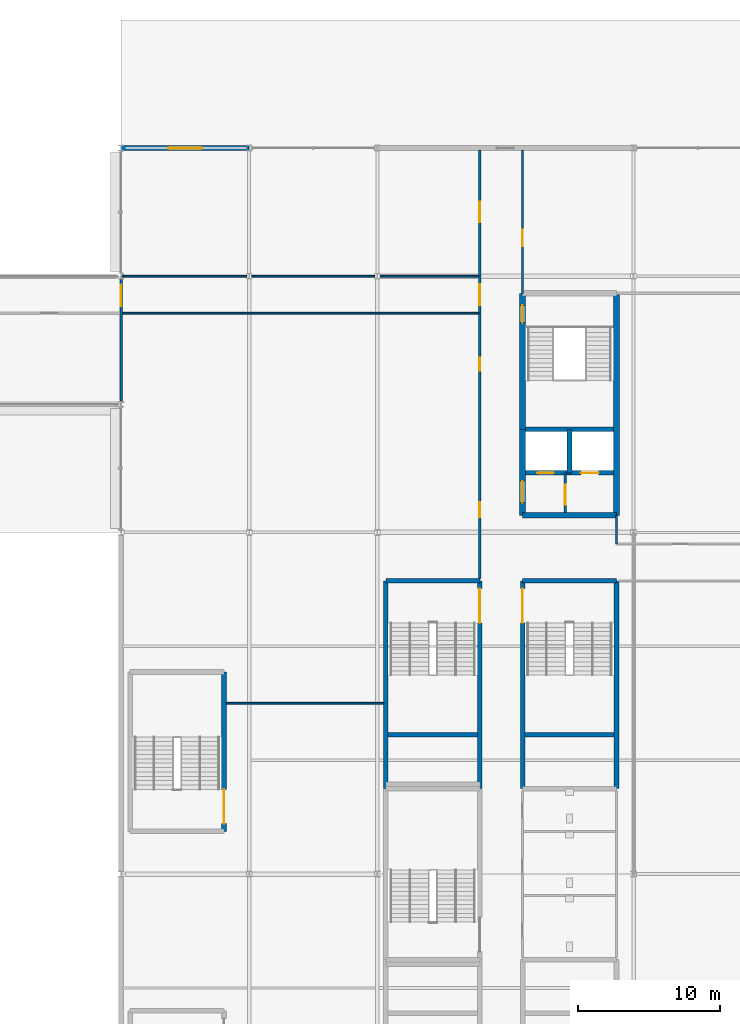
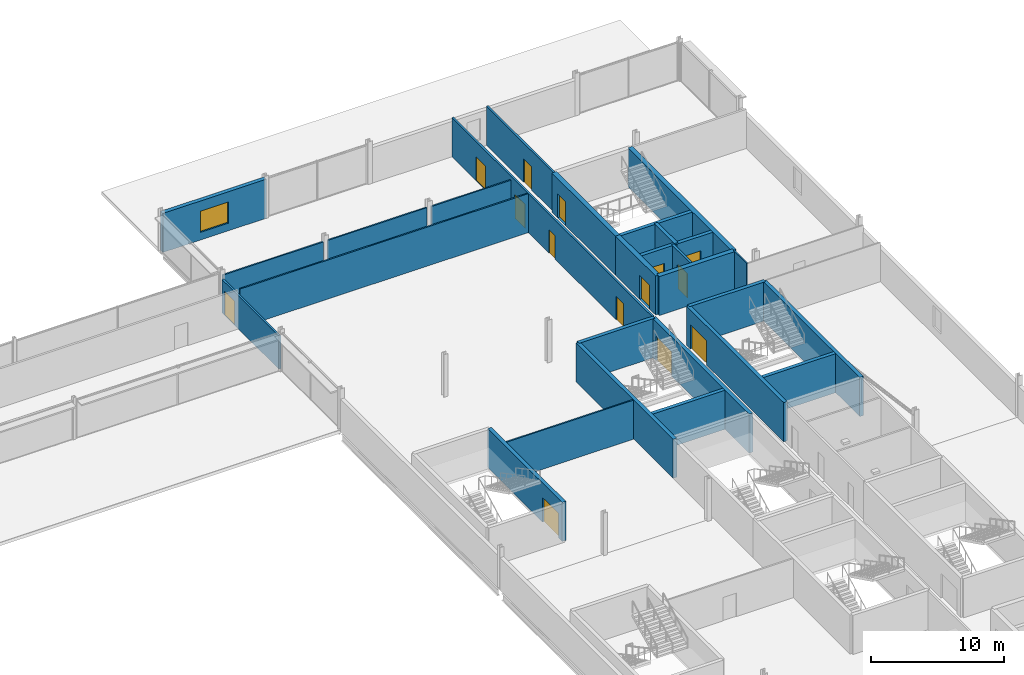
# One storey, part 70 of 105: 28 walls, 14 doors, 1 window, 15 openings.
"""IFC4 building model written with IfcOpenShell, lengths in metres."""

from ifc_helpers import new_model, si_unit, direction, frame, frame_2d, origin, place, context, subcontext, project, spatial, rectangle, extrude, material, layer, layer_set, type_object, element, fill, save


model = new_model("IFC4")

# Units and contexts
model_context = context("Model", 3, precision=1e-05, world=origin(), true_north=direction((0.0, 1.0)))
body_context = subcontext(model_context, "Body", "Model", "MODEL_VIEW")
ifc_project = project(units=[si_unit("LENGTHUNIT", "METRE"), si_unit("AREAUNIT", "SQUARE_METRE"), si_unit("VOLUMEUNIT", "CUBIC_METRE"), si_unit("PLANEANGLEUNIT", "RADIAN"), si_unit("MASSUNIT", "GRAM", prefix="KILO")], contexts=[model_context])

# Site, building, storey
site_placement = place(None, origin())
site = spatial("IfcSite", under=ifc_project, at=site_placement, CompositionType="ELEMENT")
building_placement = place(site_placement, origin())
building = spatial("IfcBuilding", under=site, at=building_placement, Name="Kisiwana Market Hall", CompositionType="ELEMENT")
storey_placement = place(building_placement, frame((0.0, 0.0, 21.60009765625)))
storey = spatial("IfcBuildingStorey", under=building, at=storey_placement, Name="L04", CompositionType="ELEMENT", Elevation=21.60009765625)

# Wall, opening, door
ifc_material_1 = material(Name="Masonry blockwork", Category="masonry")
ifc_layer_1 = layer(ifc_material_1, 0.199951171875, Name="Plastered fire compartment block wall")
ifc_layer_set_1 = layer_set([ifc_layer_1], Name="WL-COMP-200")
wall_type_1 = type_object("IfcWallType", Name="WL-COMP-200", PredefinedType="PARTITIONING", material=ifc_layer_set_1)
wall_1_placement = place(storey_placement, frame((184.199951171875, 85.39990234375, 0.0), z_axis=(0.0, 0.0, 1.0), x_axis=(0.0, 1.0, 0.0)))
wall_1 = element("IfcWall", 1, at=wall_1_placement, inside=storey, type_object=wall_type_1, Name="Core E1 firefighting lobby wall W-1641", PredefinedType="PARTITIONING", context=body_context, shape_type="SweptSolid", body=[
    extrude(rectangle(XDim=2.780029296875, YDim=0.199951171875, at=frame_2d((1.39013671875, 0.0))), origin(), (0.0, 0.0, 1.0), 3.5849609375),
])
opening_1_placement = place(wall_1_placement, frame((0.550048828125, 0.0, 0.0)))
opening_1 = element("IfcOpeningElement", 2, at=opening_1_placement, cuts=wall_1, Name="Opening DR-L04-012", PredefinedType="OPENING", context=body_context, shape_type="SweptSolid", body=[
    extrude(rectangle(XDim=1.39990234375, YDim=2.25, at=frame_2d((0.699951171875, 1.125))), frame((0.0, 0.11181640625, 0.0), z_axis=(0.0, -1.0, 0.0), x_axis=(1.0, 0.0, 0.0)), (0.0, 0.0, 1.0), 0.223876953125),
])
ifc_material_2 = material(Name="Steel S275", Category="steel")
door_type_1 = type_object("IfcDoorType", Name="DR-FFLOB-FD120-1400", OperationType="DOUBLE_DOOR_SINGLE_SWING", PredefinedType="DOOR", material=ifc_material_2)
door_1_placement = place(opening_1_placement, origin())
door_1 = element("IfcDoor", 3, at=door_1_placement, inside=storey, type_object=door_type_1, Name="Firefighting Lift Lobby E1 Door (L04)", OperationType="DOUBLE_DOOR_SINGLE_SWING", OverallHeight=2.25, OverallWidth=1.39990234375, PredefinedType="DOOR", context=body_context, shape_type="SweptSolid", body=[
    extrude(rectangle(XDim=1.39990234375, YDim=2.25, at=frame_2d((0.699951171875, 1.125))), frame((0.0, 0.02490234375, 0.0), z_axis=(0.0, -1.0, 0.0), x_axis=(1.0, 0.0, 0.0)), (0.0, 0.0, 1.0), 0.050048828125),
])
fill(opening_1, door_1)

# Walls
ifc_material_3 = material(Name="Concrete C40/50", Category="concrete")
ifc_layer_2 = layer(ifc_material_3, 0.320068359375, Name="Reinforced concrete shaft wall")
ifc_layer_set_2 = layer_set([ifc_layer_2], Name="WL-CORE-320")
wall_type_2 = type_object("IfcWallType", Name="WL-CORE-320", PredefinedType="SHEAR", material=ifc_layer_set_2)
wall_2_placement = place(storey_placement, frame((181.39990234375, 91.239990234375, 0.0), z_axis=(0.0, 0.0, 1.0), x_axis=(1.0, 0.0, 0.0)))
element("IfcWall", 4, at=wall_2_placement, inside=storey, type_object=wall_type_2, Name="Core E1 shaft back shear wall W-1546", PredefinedType="SHEAR", context=body_context, shape_type="SweptSolid", body=[
    extrude(rectangle(XDim=6.2001953125, YDim=0.320068359375, at=frame_2d((3.10009765625, 0.0))), origin(), (0.0, 0.0, 1.0), 3.5849609375),
])
wall_3_placement = place(storey_placement, frame((184.5, 88.179931640625, 0.0), z_axis=(0.0, 0.0, 1.0), x_axis=(0.0, 1.0, 0.0)))
element("IfcWall", 5, at=wall_3_placement, inside=storey, type_object=wall_type_2, Name="Core E1 inter-shaft shear wall W-1547", PredefinedType="SHEAR", context=body_context, shape_type="SweptSolid", body=[
    extrude(rectangle(XDim=3.06005859375, YDim=0.320068359375, at=frame_2d((1.530029296875, 0.0))), origin(), (0.0, 0.0, 1.0), 3.5849609375),
])

# Wall, opening, door
wall_4_placement = place(storey_placement, frame((181.39990234375, 88.179931640625, 0.0), z_axis=(0.0, 0.0, 1.0), x_axis=(1.0, 0.0, 0.0)))
wall_4 = element("IfcWall", 6, at=wall_4_placement, inside=storey, type_object=wall_type_2, Name="Core E1 west lift front wall W-1548", PredefinedType="SHEAR", context=body_context, shape_type="SweptSolid", body=[
    extrude(rectangle(XDim=3.10009765625, YDim=0.320068359375, at=frame_2d((1.550048828125, 0.0))), origin(), (0.0, 0.0, 1.0), 3.5849609375),
])
opening_2_placement = place(wall_4_placement, frame((0.85009765625, 0.0, 0.0)))
opening_2 = element("IfcOpeningElement", 7, at=opening_2_placement, cuts=wall_4, Name="Opening LD-L04-007", PredefinedType="OPENING", context=body_context, shape_type="SweptSolid", body=[
    extrude(rectangle(XDim=1.14990234375, YDim=2.199951171875, at=frame_2d((0.574951171875, 1.10009765625))), frame((0.0, 0.171875, 0.0), z_axis=(0.0, -1.0, 0.0), x_axis=(1.0, 0.0, 0.0)), (0.0, 0.0, 1.0), 0.343994140625),
])
ifc_material_4 = material(Name="Steel S275", Category="steel")
door_type_2 = type_object("IfcDoorType", Name="DR-LIFT-PAX-1150", OperationType="DOUBLE_DOOR_SLIDING", PredefinedType="DOOR", material=ifc_material_4)
door_2_placement = place(opening_2_placement, origin())
door_2 = element("IfcDoor", 8, at=door_2_placement, inside=storey, type_object=door_type_2, Name="Lift Landing Door LP-04 (L04)", OperationType="DOUBLE_DOOR_SLIDING", OverallHeight=2.199951171875, OverallWidth=1.14990234375, PredefinedType="DOOR", context=body_context, shape_type="SweptSolid", body=[
    extrude(rectangle(XDim=1.14990234375, YDim=2.199951171875, at=frame_2d((0.574951171875, 1.10009765625))), frame((0.0, 0.02490234375, 0.0), z_axis=(0.0, -1.0, 0.0), x_axis=(1.0, 0.0, 0.0)), (0.0, 0.0, 1.0), 0.050048828125),
])
fill(opening_2, door_2)

wall_5_placement = place(storey_placement, frame((184.5, 88.179931640625, 0.0), z_axis=(0.0, 0.0, 1.0), x_axis=(1.0, 0.0, 0.0)))
wall_5 = element("IfcWall", 9, at=wall_5_placement, inside=storey, type_object=wall_type_2, Name="Core E1 east lift front wall W-1549", PredefinedType="SHEAR", context=body_context, shape_type="SweptSolid", body=[
    extrude(rectangle(XDim=3.10009765625, YDim=0.320068359375, at=frame_2d((1.550048828125, 0.0))), origin(), (0.0, 0.0, 1.0), 3.5849609375),
])
opening_3_placement = place(wall_5_placement, frame((0.800048828125, 0.0, 0.0)))
opening_3 = element("IfcOpeningElement", 10, at=opening_3_placement, cuts=wall_5, Name="Opening LD-L04-008", PredefinedType="OPENING", context=body_context, shape_type="SweptSolid", body=[
    extrude(rectangle(XDim=1.25, YDim=2.25, at=frame_2d((0.625, 1.125))), frame((0.0, 0.171875, 0.0), z_axis=(0.0, -1.0, 0.0), x_axis=(1.0, 0.0, 0.0)), (0.0, 0.0, 1.0), 0.343994140625),
])
ifc_material_5 = material(Name="Steel S275", Category="steel")
door_type_3 = type_object("IfcDoorType", Name="DR-LIFT-FFL-1250", OperationType="DOUBLE_DOOR_SLIDING", PredefinedType="DOOR", material=ifc_material_5)
door_3_placement = place(opening_3_placement, origin())
door_3 = element("IfcDoor", 11, at=door_3_placement, inside=storey, type_object=door_type_3, Name="Lift Landing Door FFL-04 (L04)", OperationType="DOUBLE_DOOR_SLIDING", OverallHeight=2.25, OverallWidth=1.25, PredefinedType="DOOR", context=body_context, shape_type="SweptSolid", body=[
    extrude(rectangle(XDim=1.25, YDim=2.25, at=frame_2d((0.625, 1.125))), frame((0.0, 0.02490234375, 0.0), z_axis=(0.0, -1.0, 0.0), x_axis=(1.0, 0.0, 0.0)), (0.0, 0.0, 1.0), 0.050048828125),
])
fill(opening_3, door_3)

# Wall
wall_6_placement = place(storey_placement, frame((181.199951171875, 80.60009765625, 0.0), z_axis=(0.0, 0.0, 1.0), x_axis=(1.0, 0.0, 0.0)))
element("IfcWall", 12, at=wall_6_placement, inside=storey, type_object=wall_type_2, Name="Core E4 north shear wall W-1566", PredefinedType="SHEAR", context=body_context, shape_type="SweptSolid", body=[
    extrude(rectangle(XDim=6.60009765625, YDim=0.320068359375, at=frame_2d((3.300048828125, 0.0))), origin(), (0.0, 0.0, 1.0), 3.5849609375),
])

# Wall, opening, door
wall_7_placement = place(storey_placement, frame((181.199951171875, 66.0, 0.0), z_axis=(0.0, 0.0, 1.0), x_axis=(0.0, 1.0, 0.0)))
wall_7 = element("IfcWall", 13, at=wall_7_placement, inside=storey, type_object=wall_type_2, Name="Core E4 corridor shear wall W-1567", PredefinedType="SHEAR", context=body_context, shape_type="SweptSolid", body=[
    extrude(rectangle(XDim=14.60009765625, YDim=0.320068359375, at=frame_2d((7.300048828125, 0.0))), origin(), (0.0, 0.0, 1.0), 3.5849609375),
])
opening_4_placement = place(wall_7_placement, frame((11.64990234375, 0.0, 0.0)))
opening_4 = element("IfcOpeningElement", 14, at=opening_4_placement, cuts=wall_7, Name="Opening DR-L04-016", PredefinedType="OPENING", context=body_context, shape_type="SweptSolid", body=[
    extrude(rectangle(XDim=2.39990234375, YDim=2.25, at=frame_2d((1.199951171875, 1.125))), frame((0.0, 0.171875, 0.0), z_axis=(0.0, -1.0, 0.0), x_axis=(1.0, 0.0, 0.0)), (0.0, 0.0, 1.0), 0.343994140625),
])
ifc_material_6 = material(Name="Steel S275", Category="steel")
door_type_4 = type_object("IfcDoorType", Name="DR-STAIR-FD120-2400", OperationType="DOUBLE_DOOR_SINGLE_SWING", PredefinedType="DOOR", material=ifc_material_6)
door_4_placement = place(opening_4_placement, frame((2.39990234375, 0.0, 0.0), z_axis=(0.0, 0.0, 1.0), x_axis=(-1.0, 0.0, 0.0)))
door_4 = element("IfcDoor", 15, at=door_4_placement, inside=storey, type_object=door_type_4, Name="Escape Stair E4 Fire Door (L04)", OperationType="DOUBLE_DOOR_SINGLE_SWING", OverallHeight=2.25, OverallWidth=2.39990234375, PredefinedType="DOOR", context=body_context, shape_type="SweptSolid", body=[
    extrude(rectangle(XDim=2.39990234375, YDim=2.25, at=frame_2d((1.199951171875, 1.125))), frame((0.0, 0.02490234375, 0.0), z_axis=(0.0, -1.0, 0.0), x_axis=(1.0, 0.0, 0.0)), (0.0, 0.0, 1.0), 0.050048828125),
])
fill(opening_4, door_4)

# Walls
wall_8_placement = place(storey_placement, frame((187.800048828125, 66.0, 0.0), z_axis=(0.0, 0.0, 1.0), x_axis=(0.0, 1.0, 0.0)))
element("IfcWall", 16, at=wall_8_placement, inside=storey, type_object=wall_type_2, Name="Core E4 outer shear wall W-1568", PredefinedType="SHEAR", context=body_context, shape_type="SweptSolid", body=[
    extrude(rectangle(XDim=14.60009765625, YDim=0.320068359375, at=frame_2d((7.300048828125, 0.0))), origin(), (0.0, 0.0, 1.0), 3.5849609375),
])
wall_9_placement = place(storey_placement, frame((181.360107421875, 69.780029296875, 0.0), z_axis=(0.0, 0.0, 1.0), x_axis=(1.0, 0.0, 0.0)))
element("IfcWall", 17, at=wall_9_placement, inside=storey, type_object=wall_type_2, Name="Core E4 riser divider shear wall W-1569", PredefinedType="SHEAR", context=body_context, shape_type="SweptSolid", body=[
    extrude(rectangle(XDim=6.27978515625, YDim=0.320068359375, at=frame_2d((3.139892578125, 0.0))), origin(), (0.0, 0.0, 1.0), 3.5849609375),
])
wall_10_placement = place(storey_placement, frame((171.60009765625, 80.60009765625, 0.0), z_axis=(0.0, 0.0, 1.0), x_axis=(1.0, 0.0, 0.0)))
element("IfcWall", 18, at=wall_10_placement, inside=storey, type_object=wall_type_2, Name="Core E8 north shear wall W-1586", PredefinedType="SHEAR", context=body_context, shape_type="SweptSolid", body=[
    extrude(rectangle(XDim=6.599853515625, YDim=0.320068359375, at=frame_2d((3.2998046875, 0.0))), origin(), (0.0, 0.0, 1.0), 3.5849609375),
])
wall_11_placement = place(storey_placement, frame((171.60009765625, 66.0, 0.0), z_axis=(0.0, 0.0, 1.0), x_axis=(0.0, 1.0, 0.0)))
element("IfcWall", 19, at=wall_11_placement, inside=storey, type_object=wall_type_2, Name="Core E8 outer shear wall W-1587", PredefinedType="SHEAR", context=body_context, shape_type="SweptSolid", body=[
    extrude(rectangle(XDim=14.60009765625, YDim=0.320068359375, at=frame_2d((7.300048828125, 0.0))), origin(), (0.0, 0.0, 1.0), 3.5849609375),
])

# Wall, opening, door
wall_12_placement = place(storey_placement, frame((178.199951171875, 66.0, 0.0), z_axis=(0.0, 0.0, 1.0), x_axis=(0.0, 1.0, 0.0)))
wall_12 = element("IfcWall", 20, at=wall_12_placement, inside=storey, type_object=wall_type_2, Name="Core E8 corridor shear wall W-1588", PredefinedType="SHEAR", context=body_context, shape_type="SweptSolid", body=[
    extrude(rectangle(XDim=14.60009765625, YDim=0.320068359375, at=frame_2d((7.300048828125, 0.0))), origin(), (0.0, 0.0, 1.0), 3.5849609375),
])
opening_5_placement = place(wall_12_placement, frame((11.64990234375, 0.0, 0.0)))
opening_5 = element("IfcOpeningElement", 21, at=opening_5_placement, cuts=wall_12, Name="Opening DR-L04-020", PredefinedType="OPENING", context=body_context, shape_type="SweptSolid", body=[
    extrude(rectangle(XDim=2.39990234375, YDim=2.25, at=frame_2d((1.199951171875, 1.125))), frame((0.0, 0.171875, 0.0), z_axis=(0.0, -1.0, 0.0), x_axis=(1.0, 0.0, 0.0)), (0.0, 0.0, 1.0), 0.343994140625),
])
door_5_placement = place(opening_5_placement, origin())
door_5 = element("IfcDoor", 22, at=door_5_placement, inside=storey, type_object=door_type_4, Name="Escape Stair E8 Fire Door (L04)", OperationType="DOUBLE_DOOR_SINGLE_SWING", OverallHeight=2.25, OverallWidth=2.39990234375, PredefinedType="DOOR", context=body_context, shape_type="SweptSolid", body=[
    extrude(rectangle(XDim=2.39990234375, YDim=2.25, at=frame_2d((1.199951171875, 1.125))), frame((0.0, 0.02490234375, 0.0), z_axis=(0.0, -1.0, 0.0), x_axis=(1.0, 0.0, 0.0)), (0.0, 0.0, 1.0), 0.050048828125),
])
fill(opening_5, door_5)

# Wall
wall_13_placement = place(storey_placement, frame((171.760009765625, 69.780029296875, 0.0), z_axis=(0.0, 0.0, 1.0), x_axis=(1.0, 0.0, 0.0)))
element("IfcWall", 23, at=wall_13_placement, inside=storey, type_object=wall_type_2, Name="Core E8 riser divider shear wall W-1589", PredefinedType="SHEAR", context=body_context, shape_type="SweptSolid", body=[
    extrude(rectangle(XDim=6.280029296875, YDim=0.320068359375, at=frame_2d((3.14013671875, 0.0))), origin(), (0.0, 0.0, 1.0), 3.5849609375),
])

# Wall, opening, door
wall_14_placement = place(storey_placement, frame((160.22998046875, 63.0, 0.0), z_axis=(0.0, 0.0, 1.0), x_axis=(0.0, 1.0, 0.0)))
wall_14 = element("IfcWall", 24, at=wall_14_placement, inside=storey, type_object=wall_type_2, Name="Core E10 corridor shear wall W-1605", PredefinedType="SHEAR", context=body_context, shape_type="SweptSolid", body=[
    extrude(rectangle(XDim=11.199951171875, YDim=0.320068359375, at=frame_2d((5.60009765625, 0.0))), origin(), (0.0, 0.0, 1.0), 3.5849609375),
])
opening_6_placement = place(wall_14_placement, frame((0.550048828125, 0.0, 0.0)))
opening_6 = element("IfcOpeningElement", 25, at=opening_6_placement, cuts=wall_14, Name="Opening DR-L04-024", PredefinedType="OPENING", context=body_context, shape_type="SweptSolid", body=[
    extrude(rectangle(XDim=2.39990234375, YDim=2.25, at=frame_2d((1.199951171875, 1.125))), frame((0.0, 0.171875, 0.0), z_axis=(0.0, -1.0, 0.0), x_axis=(1.0, 0.0, 0.0)), (0.0, 0.0, 1.0), 0.343994140625),
])
door_6_placement = place(opening_6_placement, origin())
door_6 = element("IfcDoor", 26, at=door_6_placement, inside=storey, type_object=door_type_4, Name="Escape Stair E10 Fire Door (L04)", OperationType="DOUBLE_DOOR_SINGLE_SWING", OverallHeight=2.25, OverallWidth=2.39990234375, PredefinedType="DOOR", context=body_context, shape_type="SweptSolid", body=[
    extrude(rectangle(XDim=2.39990234375, YDim=2.25, at=frame_2d((1.199951171875, 1.125))), frame((0.0, 0.02490234375, 0.0), z_axis=(0.0, -1.0, 0.0), x_axis=(1.0, 0.0, 0.0)), (0.0, 0.0, 1.0), 0.050048828125),
])
fill(opening_6, door_6)

# Walls
ifc_material_7 = material(Name="Concrete C40/50", Category="concrete")
ifc_layer_3 = layer(ifc_material_7, 0.39990234375, Name="Reinforced concrete core wall")
ifc_layer_set_3 = layer_set([ifc_layer_3], Name="WL-CORE-400")
wall_type_3 = type_object("IfcWallType", Name="WL-CORE-400", PredefinedType="SHEAR", material=ifc_layer_set_3)
wall_15_placement = place(storey_placement, frame((181.199951171875, 85.199951171875, 0.0), z_axis=(0.0, 0.0, 1.0), x_axis=(1.0, 0.0, 0.0)))
element("IfcWall", 27, at=wall_15_placement, inside=storey, type_object=wall_type_3, Name="Core E1 south shear wall W-1541", PredefinedType="SHEAR", context=body_context, shape_type="SweptSolid", body=[
    extrude(rectangle(XDim=6.60009765625, YDim=0.39990234375, at=frame_2d((3.300048828125, 0.0))), origin(), (0.0, 0.0, 1.0), 3.5849609375),
])
wall_16_placement = place(storey_placement, frame((187.800048828125, 85.199951171875, 0.0), z_axis=(0.0, 0.0, 1.0), x_axis=(0.0, 1.0, 0.0)))
element("IfcWall", 28, at=wall_16_placement, inside=storey, type_object=wall_type_3, Name="Core E1 outer shear wall W-1543", PredefinedType="SHEAR", context=body_context, shape_type="SweptSolid", body=[
    extrude(rectangle(XDim=15.60009765625, YDim=0.39990234375, at=frame_2d((7.800048828125, 0.0))), origin(), (0.0, 0.0, 1.0), 3.5849609375),
])

# Wall, opening, door
wall_17_placement = place(storey_placement, frame((181.199951171875, 85.199951171875, 0.0), z_axis=(0.0, 0.0, 1.0), x_axis=(0.0, 1.0, 0.0)))
wall_17 = element("IfcWall", 29, at=wall_17_placement, inside=storey, type_object=wall_type_3, Name="Core E1 lobby corridor shear wall W-1544", PredefinedType="SHEAR", context=body_context, shape_type="SweptSolid", body=[
    extrude(rectangle(XDim=6.0400390625, YDim=0.39990234375, at=frame_2d((3.02001953125, 0.0))), origin(), (0.0, 0.0, 1.0), 3.5849609375),
])
opening_7_placement = place(wall_17_placement, frame((0.89990234375, 0.0, 0.0)))
opening_7 = element("IfcOpeningElement", 30, at=opening_7_placement, cuts=wall_17, Name="Opening DR-L04-010", PredefinedType="OPENING", context=body_context, shape_type="SweptSolid", body=[
    extrude(rectangle(XDim=1.5, YDim=2.199951171875, at=frame_2d((0.75, 1.10009765625))), frame((0.0, 0.2119140625, 0.0), z_axis=(0.0, -1.0, 0.0), x_axis=(1.0, 0.0, 0.0)), (0.0, 0.0, 1.0), 0.423828125),
])
ifc_material_8 = material(Name="Steel S275", Category="steel")
door_type_5 = type_object("IfcDoorType", Name="DR-CORR-FD60-1500", OperationType="DOUBLE_DOOR_SINGLE_SWING", PredefinedType="DOOR", material=ifc_material_8)
door_7_placement = place(opening_7_placement, origin())
door_7 = element("IfcDoor", 31, at=door_7_placement, inside=storey, type_object=door_type_5, Name="Passenger Lift Lobby E1 Smoke Door (L04)", OperationType="DOUBLE_DOOR_SINGLE_SWING", OverallHeight=2.199951171875, OverallWidth=1.5, PredefinedType="DOOR", context=body_context, shape_type="SweptSolid", body=[
    extrude(rectangle(XDim=1.5, YDim=2.199951171875, at=frame_2d((0.75, 1.10009765625))), frame((0.0, 0.02490234375, 0.0), z_axis=(0.0, -1.0, 0.0), x_axis=(1.0, 0.0, 0.0)), (0.0, 0.0, 1.0), 0.050048828125),
])
fill(opening_7, door_7)

wall_18_placement = place(storey_placement, frame((181.199951171875, 91.239990234375, 0.0), z_axis=(0.0, 0.0, 1.0), x_axis=(0.0, 1.0, 0.0)))
wall_18 = element("IfcWall", 32, at=wall_18_placement, inside=storey, type_object=wall_type_3, Name="Core E1 stair corridor shear wall W-1545", PredefinedType="SHEAR", context=body_context, shape_type="SweptSolid", body=[
    extrude(rectangle(XDim=9.56005859375, YDim=0.39990234375, at=frame_2d((4.780029296875, 0.0))), origin(), (0.0, 0.0, 1.0), 3.5849609375),
])
opening_8_placement = place(wall_18_placement, frame((7.510009765625, 0.0, 0.0)))
opening_8 = element("IfcOpeningElement", 33, at=opening_8_placement, cuts=wall_18, Name="Opening DR-L04-011", PredefinedType="OPENING", context=body_context, shape_type="SweptSolid", body=[
    extrude(rectangle(XDim=1.199951171875, YDim=2.199951171875, at=frame_2d((0.60009765625, 1.10009765625))), frame((0.0, 0.2119140625, 0.0), z_axis=(0.0, -1.0, 0.0), x_axis=(1.0, 0.0, 0.0)), (0.0, 0.0, 1.0), 0.423828125),
])
ifc_material_9 = material(Name="Steel S275", Category="steel")
door_type_6 = type_object("IfcDoorType", Name="DR-STAIR-FD120-1200", OperationType="NOTDEFINED", PredefinedType="DOOR", material=ifc_material_9)
door_8_placement = place(opening_8_placement, frame((1.199951171875, 0.0, 0.0), z_axis=(0.0, 0.0, 1.0), x_axis=(-1.0, 0.0, 0.0)))
door_8 = element("IfcDoor", 34, at=door_8_placement, inside=storey, type_object=door_type_6, Name="Escape Stair E1 Fire Door (L04)", OperationType="SINGLE_SWING_LEFT", OverallHeight=2.199951171875, OverallWidth=1.199951171875, PredefinedType="DOOR", context=body_context, shape_type="SweptSolid", body=[
    extrude(rectangle(XDim=1.199951171875, YDim=2.199951171875, at=frame_2d((0.60009765625, 1.10009765625))), frame((0.0, 0.02490234375, 0.0), z_axis=(0.0, -1.0, 0.0), x_axis=(1.0, 0.0, 0.0)), (0.0, 0.0, 1.0), 0.050048828125),
])
fill(opening_8, door_8)

ifc_material_10 = material(Name="Masonry blockwork", Category="masonry")
ifc_layer_4 = layer(ifc_material_10, 0.169921875, Name="Protected corridor partition")
ifc_layer_set_4 = layer_set([ifc_layer_4], Name="WL-CORR-170")
wall_type_4 = type_object("IfcWallType", Name="WL-CORR-170", PredefinedType="PARTITIONING", material=ifc_layer_set_4)
wall_19_placement = place(storey_placement, frame((181.199951171875, 100.800048828125, 0.0), z_axis=(0.0, 0.0, 1.0), x_axis=(0.0, 1.0, 0.0)))
wall_19 = element("IfcWall", 35, at=wall_19_placement, inside=storey, type_object=wall_type_4, Name="Interior partition W-1683", PredefinedType="PARTITIONING", context=body_context, shape_type="SweptSolid", body=[
    extrude(rectangle(XDim=10.054931640625, YDim=0.169921875, at=frame_2d((5.02734375, 0.0))), origin(), (0.0, 0.0, 1.0), 3.5849609375),
])
opening_9_placement = place(wall_19_placement, frame((3.300048828125, 0.0, 0.0)))
opening_9 = element("IfcOpeningElement", 36, at=opening_9_placement, cuts=wall_19, Name="Opening DR-L04-053", PredefinedType="OPENING", context=body_context, shape_type="SweptSolid", body=[
    extrude(rectangle(XDim=1.14990234375, YDim=2.14990234375, at=frame_2d((0.574951171875, 1.074951171875))), frame((0.0, 0.096923828125, 0.0), z_axis=(0.0, -1.0, 0.0), x_axis=(1.0, 0.0, 0.0)), (0.0, 0.0, 1.0), 0.19384765625),
])
ifc_material_11 = material(Name="Aluminium alloy 6063-T6", Category="aluminium")
door_type_7 = type_object("IfcDoorType", Name="DR-MEET-1150", OperationType="NOTDEFINED", PredefinedType="DOOR", material=ifc_material_11)
door_9_placement = place(opening_9_placement, frame((1.14990234375, 0.0, 0.0), z_axis=(0.0, 0.0, 1.0), x_axis=(-1.0, 0.0, 0.0)))
door_9 = element("IfcDoor", 37, at=door_9_placement, inside=storey, type_object=door_type_7, Name="L04 E Corner Office Suite North Door", OperationType="SINGLE_SWING_RIGHT", OverallHeight=2.14990234375, OverallWidth=1.14990234375, PredefinedType="DOOR", context=body_context, shape_type="SweptSolid", body=[
    extrude(rectangle(XDim=1.14990234375, YDim=2.14990234375, at=frame_2d((0.574951171875, 1.074951171875))), frame((0.0, 0.02490234375, 0.0), z_axis=(0.0, -1.0, 0.0), x_axis=(1.0, 0.0, 0.0)), (0.0, 0.0, 1.0), 0.050048828125),
])
fill(opening_9, door_9)

# Wall, openings, doors
wall_20_placement = place(storey_placement, frame((178.199951171875, 80.760009765625, 0.0), z_axis=(0.0, 0.0, 1.0), x_axis=(0.0, 1.0, 0.0)))
wall_20 = element("IfcWall", 38, at=wall_20_placement, inside=storey, type_object=wall_type_4, Name="Interior partition W-1695", PredefinedType="PARTITIONING", context=body_context, shape_type="SweptSolid", body=[
    extrude(rectangle(XDim=30.094970703125, YDim=0.169921875, at=frame_2d((15.04736328125, 0.0))), origin(), (0.0, 0.0, 1.0), 3.5849609375),
])
opening_10_placement = place(wall_20_placement, frame((4.300048828125, 0.0, 0.0)))
opening_10 = element("IfcOpeningElement", 39, at=opening_10_placement, cuts=wall_20, Name="Opening DR-L04-059", PredefinedType="OPENING", context=body_context, shape_type="SweptSolid", body=[
    extrude(rectangle(XDim=1.080078125, YDim=2.14990234375, at=frame_2d((0.5400390625, 1.074951171875))), frame((0.0, 0.096923828125, 0.0), z_axis=(0.0, -1.0, 0.0), x_axis=(1.0, 0.0, 0.0)), (0.0, 0.0, 1.0), 0.19384765625),
])
opening_11_placement = place(wall_20_placement, frame((19.18994140625, 0.0, 0.0)))
opening_11 = element("IfcOpeningElement", 40, at=opening_11_placement, cuts=wall_20, Name="Opening DR-L04-060", PredefinedType="OPENING", context=body_context, shape_type="SweptSolid", body=[
    extrude(rectangle(XDim=1.5, YDim=2.199951171875, at=frame_2d((0.75, 1.10009765625))), frame((0.0, 0.096923828125, 0.0), z_axis=(0.0, -1.0, 0.0), x_axis=(1.0, 0.0, 0.0)), (0.0, 0.0, 1.0), 0.19384765625),
])
opening_12_placement = place(wall_20_placement, frame((25.014892578125, 0.0, 0.0)))
opening_12 = element("IfcOpeningElement", 41, at=opening_12_placement, cuts=wall_20, Name="Opening DR-L04-061", PredefinedType="OPENING", context=body_context, shape_type="SweptSolid", body=[
    extrude(rectangle(XDim=1.449951171875, YDim=2.199951171875, at=frame_2d((0.72509765625, 1.10009765625))), frame((0.0, 0.096923828125, 0.0), z_axis=(0.0, -1.0, 0.0), x_axis=(1.0, 0.0, 0.0)), (0.0, 0.0, 1.0), 0.19384765625),
])
opening_13_placement = place(wall_20_placement, frame((14.587890625, 0.0, 0.0)))
opening_13 = element("IfcOpeningElement", 42, at=opening_13_placement, cuts=wall_20, Name="Opening DR-L04-062", PredefinedType="OPENING", context=body_context, shape_type="SweptSolid", body=[
    extrude(rectangle(XDim=0.919921875, YDim=2.14990234375, at=frame_2d((0.4599609375, 1.074951171875))), frame((0.0, 0.096923828125, 0.0), z_axis=(0.0, -1.0, 0.0), x_axis=(1.0, 0.0, 0.0)), (0.0, 0.0, 1.0), 0.19384765625),
])
door_10_placement = place(opening_11_placement, origin())
door_10 = element("IfcDoor", 43, at=door_10_placement, inside=storey, type_object=door_type_5, Name="L04 E North Skybridge Link Corridor Door", OperationType="DOUBLE_DOOR_SINGLE_SWING", OverallHeight=2.199951171875, OverallWidth=1.5, PredefinedType="DOOR", context=body_context, shape_type="SweptSolid", body=[
    extrude(rectangle(XDim=1.5, YDim=2.199951171875, at=frame_2d((0.75, 1.10009765625))), frame((0.0, 0.02490234375, 0.0), z_axis=(0.0, -1.0, 0.0), x_axis=(1.0, 0.0, 0.0)), (0.0, 0.0, 1.0), 0.050048828125),
])
fill(opening_11, door_10)
ifc_material_12 = material(Name="Hardwood timber", Category="wood")
door_type_8 = type_object("IfcDoorType", Name="DR-MEET-1450", OperationType="DOUBLE_DOOR_SINGLE_SWING", PredefinedType="DOOR", material=ifc_material_12)
door_11_placement = place(opening_12_placement, origin())
door_11 = element("IfcDoor", 44, at=door_11_placement, inside=storey, type_object=door_type_8, Name="L04 E Executive Corner Office A5 Door", OperationType="DOUBLE_DOOR_SINGLE_SWING", OverallHeight=2.199951171875, OverallWidth=1.449951171875, PredefinedType="DOOR", context=body_context, shape_type="SweptSolid", body=[
    extrude(rectangle(XDim=1.449951171875, YDim=2.199951171875, at=frame_2d((0.72509765625, 1.10009765625))), frame((0.0, 0.02490234375, 0.0), z_axis=(0.0, -1.0, 0.0), x_axis=(1.0, 0.0, 0.0)), (0.0, 0.0, 1.0), 0.050048828125),
])
fill(opening_12, door_11)
ifc_material_13 = material(Name="Hardwood timber", Category="wood")
door_type_9 = type_object("IfcDoorType", Name="DR-OFF-0920", OperationType="NOTDEFINED", PredefinedType="DOOR", material=ifc_material_13)
door_12_placement = place(opening_13_placement, origin())
door_12 = element("IfcDoor", 45, at=door_12_placement, inside=storey, type_object=door_type_9, Name="L04 E Open-Plan Office A3 Door", OperationType="SINGLE_SWING_LEFT", OverallHeight=2.14990234375, OverallWidth=0.919921875, PredefinedType="DOOR", context=body_context, shape_type="SweptSolid", body=[
    extrude(rectangle(XDim=0.919921875, YDim=2.14990234375, at=frame_2d((0.4599609375, 1.074951171875))), frame((0.0, 0.02490234375, 0.0), z_axis=(0.0, -1.0, 0.0), x_axis=(1.0, 0.0, 0.0)), (0.0, 0.0, 1.0), 0.050048828125),
])
fill(opening_13, door_12)
ifc_material_14 = material(Name="Hardwood timber", Category="wood")
door_type_10 = type_object("IfcDoorType", Name="DR-OFF-1080", OperationType="NOTDEFINED", PredefinedType="DOOR", material=ifc_material_14)
door_13_placement = place(opening_10_placement, origin())
door_13 = element("IfcDoor", 46, at=door_13_placement, inside=storey, type_object=door_type_10, Name="L04 E Project Studio A4 Door", OperationType="SINGLE_SWING_LEFT", OverallHeight=2.14990234375, OverallWidth=1.080078125, PredefinedType="DOOR", context=body_context, shape_type="SweptSolid", body=[
    extrude(rectangle(XDim=1.080078125, YDim=2.14990234375, at=frame_2d((0.5400390625, 1.074951171875))), frame((0.0, 0.02490234375, 0.0), z_axis=(0.0, -1.0, 0.0), x_axis=(1.0, 0.0, 0.0)), (0.0, 0.0, 1.0), 0.050048828125),
])
fill(opening_10, door_13)

# Wall, opening, door
wall_21_placement = place(storey_placement, frame((153.0, 93.219970703125, 0.0), z_axis=(0.0, 0.0, 1.0), x_axis=(0.0, 1.0, 0.0)))
wall_21 = element("IfcWall", 47, at=wall_21_placement, inside=storey, type_object=wall_type_4, Name="Interior partition W-1697", PredefinedType="PARTITIONING", context=body_context, shape_type="SweptSolid", body=[
    extrude(rectangle(XDim=8.56005859375, YDim=0.169921875, at=frame_2d((4.280029296875, 0.0))), origin(), (0.0, 0.0, 1.0), 3.0517578125),
])
opening_14_placement = place(wall_21_placement, frame((6.679931640625, 0.0, 0.0)))
opening_14 = element("IfcOpeningElement", 48, at=opening_14_placement, cuts=wall_21, Name="Opening DR-L04-064", PredefinedType="OPENING", context=body_context, shape_type="SweptSolid", body=[
    extrude(rectangle(XDim=1.5, YDim=2.199951171875, at=frame_2d((0.75, 1.10009765625))), frame((0.0, 0.096923828125, 0.0), z_axis=(0.0, -1.0, 0.0), x_axis=(1.0, 0.0, 0.0)), (0.0, 0.0, 1.0), 0.19384765625),
])
door_14_placement = place(opening_14_placement, origin())
door_14 = element("IfcDoor", 49, at=door_14_placement, inside=storey, type_object=door_type_5, Name="L04 E North Skybridge Spine Door", OperationType="DOUBLE_DOOR_SINGLE_SWING", OverallHeight=2.199951171875, OverallWidth=1.5, PredefinedType="DOOR", context=body_context, shape_type="SweptSolid", body=[
    extrude(rectangle(XDim=1.5, YDim=2.199951171875, at=frame_2d((0.75, 1.10009765625))), frame((0.0, 0.02490234375, 0.0), z_axis=(0.0, -1.0, 0.0), x_axis=(1.0, 0.0, 0.0)), (0.0, 0.0, 1.0), 0.050048828125),
])
fill(opening_14, door_14)

# Wall, opening, window
ifc_material_15 = material(Name="Concrete C40/50 precast", Category="concrete")
ifc_layer_5 = layer(ifc_material_15, 0.14990234375, Name="Precast architectural concrete spandrel")
ifc_material_16 = material(Name="Mineral wool insulation")
ifc_layer_6 = layer(ifc_material_16, 0.090087890625, Name="Rockwool thermal insulation")
ifc_material_17 = material(Name="Masonry blockwork", Category="masonry")
ifc_layer_7 = layer(ifc_material_17, 0.10009765625, Name="Inner masonry block leaf")
ifc_layer_set_5 = layer_set([ifc_layer_5, ifc_layer_6, ifc_layer_7], Name="WL-EXT-PREC-340")
wall_type_5 = type_object("IfcWallType", Name="WL-EXT-PREC-340", PredefinedType="STANDARD", material=ifc_layer_set_5)
wall_22_placement = place(storey_placement, frame((153.010009765625, 111.0, 0.0), z_axis=(0.0, 0.0, 1.0), x_axis=(1.0, 0.0, 0.0)))
wall_22 = element("IfcWall", 50, at=wall_22_placement, inside=storey, type_object=wall_type_5, Name="Exterior wall W-1622", PredefinedType="STANDARD", context=body_context, shape_type="SweptSolid", body=[
    extrude(rectangle(XDim=8.97998046875, YDim=0.340087890625, at=frame_2d((4.489990234375, 0.0))), origin(), (0.0, 0.0, 1.0), 3.5849609375),
])
opening_15_placement = place(wall_22_placement, frame((3.2900390625, 0.0, 0.699951171875)))
opening_15 = element("IfcOpeningElement", 51, at=opening_15_placement, cuts=wall_22, Name="Opening WN-27", PredefinedType="OPENING", context=body_context, shape_type="SweptSolid", body=[
    extrude(rectangle(XDim=2.39990234375, YDim=1.949951171875, at=frame_2d((1.199951171875, 0.97509765625))), frame((0.0, 0.18212890625, 0.0), z_axis=(0.0, -1.0, 0.0), x_axis=(1.0, 0.0, 0.0)), (0.0, 0.0, 1.0), 0.364013671875),
])
ifc_material_18 = material(Name="Double-glazed solar-control low-E IGU", Category="glass")
window_type = type_object("IfcWindowType", Name="WN-OFFA-2400x1950", PartitioningType="SINGLE_PANEL", PredefinedType="WINDOW", material=ifc_material_18)
window_placement = place(opening_15_placement, origin())
window = element("IfcWindow", 52, at=window_placement, inside=storey, type_object=window_type, Name="Exterior window WN-164", OverallHeight=1.949951171875, OverallWidth=2.39990234375, PartitioningType="SINGLE_PANEL", PredefinedType="WINDOW", context=body_context, shape_type="SweptSolid", body=[
    extrude(rectangle(XDim=2.39990234375, YDim=1.949951171875, at=frame_2d((1.199951171875, 0.97509765625))), frame((0.0, 0.030029296875, 0.0), z_axis=(0.0, -1.0, 0.0), x_axis=(1.0, 0.0, 0.0)), (0.0, 0.0, 1.0), 0.06005859375),
])
fill(opening_15, window)

# Walls
ifc_material_19 = material(Name="Gypsum plasterboard")
ifc_layer_8 = layer(ifc_material_19, 0.125, Name="Double gypsum board + acoustic stud")
ifc_layer_set_6 = layer_set([ifc_layer_8], Name="WL-OFF-125")
wall_type_6 = type_object("IfcWallType", Name="WL-OFF-125", PredefinedType="PARTITIONING", material=ifc_layer_set_6)
wall_23_placement = place(storey_placement, frame((160.389892578125, 72.0, 0.0), z_axis=(0.0, 0.0, 1.0), x_axis=(1.0, 0.0, 0.0)))
element("IfcWall", 53, at=wall_23_placement, inside=storey, type_object=wall_type_6, Name="Interior partition W-1689", PredefinedType="PARTITIONING", context=body_context, shape_type="SweptSolid", body=[
    extrude(rectangle(XDim=11.050048828125, YDim=0.125, at=frame_2d((5.52490234375, 0.0))), origin(), (0.0, 0.0, 1.0), 3.5849609375),
])
wall_24_placement = place(storey_placement, frame((153.0849609375, 99.39990234375, 0.0), z_axis=(0.0, 0.0, 1.0), x_axis=(1.0, 0.0, 0.0)))
element("IfcWall", 54, at=wall_24_placement, inside=storey, type_object=wall_type_6, Name="Interior partition W-1690", PredefinedType="PARTITIONING", context=body_context, shape_type="SweptSolid", body=[
    extrude(rectangle(XDim=25.030029296875, YDim=0.125, at=frame_2d((12.51513671875, 0.0))), origin(), (0.0, 0.0, 1.0), 3.5849609375),
])
wall_25_placement = place(storey_placement, frame((153.0849609375, 102.0, 0.0), z_axis=(0.0, 0.0, 1.0), x_axis=(1.0, 0.0, 0.0)))
element("IfcWall", 55, at=wall_25_placement, inside=storey, type_object=wall_type_6, Name="Interior partition W-1691", PredefinedType="PARTITIONING", context=body_context, shape_type="SweptSolid", body=[
    extrude(rectangle(XDim=8.73095703125, YDim=0.125, at=frame_2d((4.365478515625, 0.0))), origin(), (0.0, 0.0, 1.0), 3.281494140625),
])
wall_26_placement = place(storey_placement, frame((162.18408203125, 102.0, 0.0), z_axis=(0.0, 0.0, 1.0), x_axis=(1.0, 0.0, 0.0)))
element("IfcWall", 56, at=wall_26_placement, inside=storey, type_object=wall_type_6, Name="Interior partition W-1692", PredefinedType="PARTITIONING", context=body_context, shape_type="SweptSolid", body=[
    extrude(rectangle(XDim=8.62548828125, YDim=0.125, at=frame_2d((4.312744140625, 0.0))), origin(), (0.0, 0.0, 1.0), 3.281494140625),
])
wall_27_placement = place(storey_placement, frame((171.1904296875, 102.0, 0.0), z_axis=(0.0, 0.0, 1.0), x_axis=(1.0, 0.0, 0.0)))
element("IfcWall", 57, at=wall_27_placement, inside=storey, type_object=wall_type_6, Name="Interior partition W-1693", PredefinedType="PARTITIONING", context=body_context, shape_type="SweptSolid", body=[
    extrude(rectangle(XDim=6.924560546875, YDim=0.125, at=frame_2d((3.46240234375, 0.0))), origin(), (0.0, 0.0, 1.0), 3.2451171875),
])
ifc_material_20 = material(Name="Masonry blockwork", Category="masonry")
ifc_layer_9 = layer(ifc_material_20, 0.110107421875)
ifc_layer_set_7 = layer_set([ifc_layer_9], Name="WL-PART-110")
wall_type_7 = type_object("IfcWallType", Name="WL-PART-110", PredefinedType="PARTITIONING", material=ifc_layer_set_7)
wall_28_placement = place(storey_placement, frame((187.800048828125, 83.199951171875, 0.0), z_axis=(0.0, 0.0, 1.0), x_axis=(0.0, 1.0, 0.0)))
element("IfcWall", 58, at=wall_28_placement, inside=storey, type_object=wall_type_7, Name="Interior partition W-1675", PredefinedType="PARTITIONING", context=body_context, shape_type="SweptSolid", body=[
    extrude(rectangle(XDim=2.0, YDim=0.110107421875, at=frame_2d((1.0, 0.0))), origin(), (0.0, 0.0, 1.0), 3.5849609375),
])

save(model, "model.ifc")
